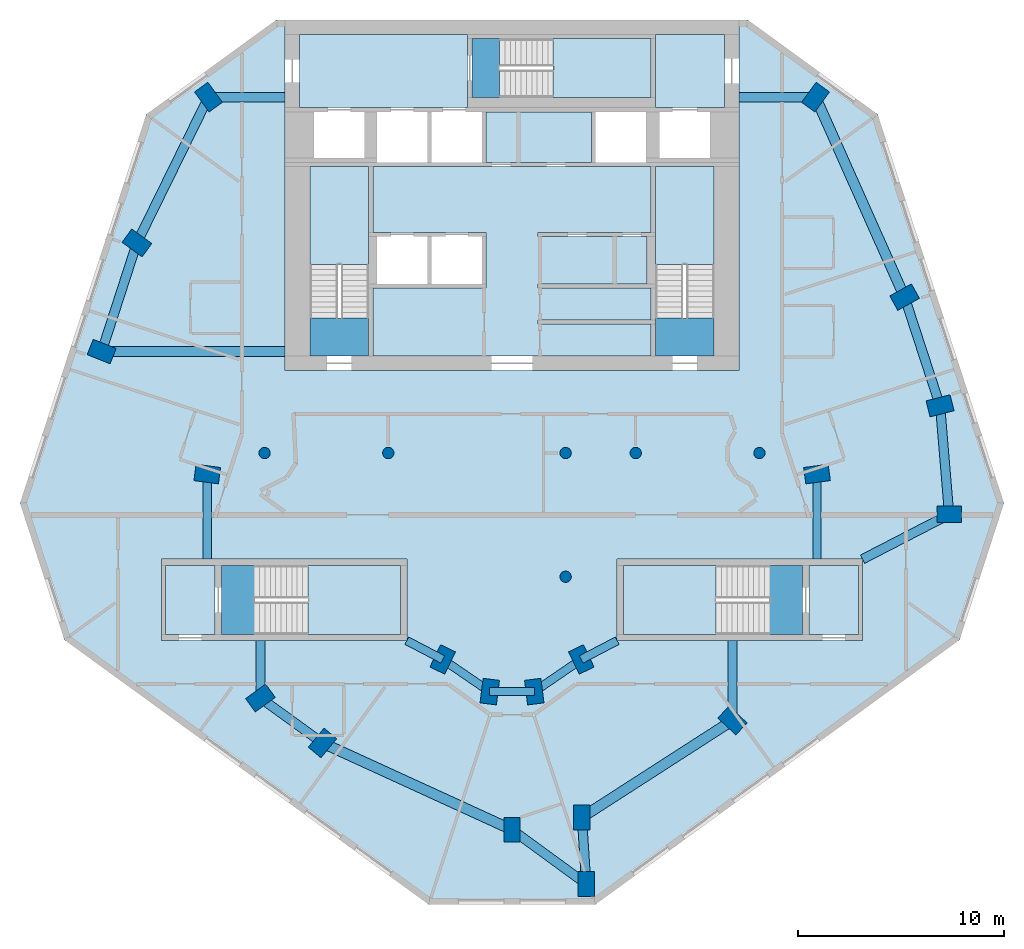
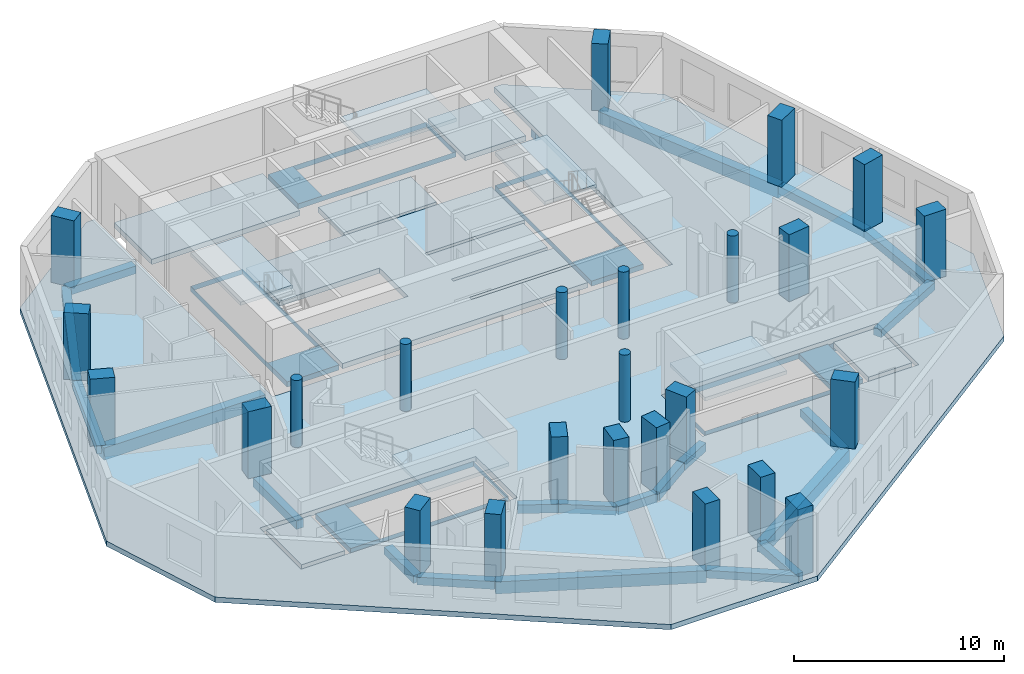
# One storey, part 1 of 9: 25 columns, 23 beams, 17 slabs, 5 elements without a shape of their own.
"""IFC4 building model written with IfcOpenShell, lengths in metres."""

from ifc_helpers import new_model, si_unit, direction, frame, origin, origin_2d, place, context, subcontext, project, spatial, polyline, rectangle, circle, outline, extrude, material, layer, layer_set, material_profile, profile_set, type_object, element, aggregate, save


model = new_model("IFC4")

# Units and contexts
model_context = context("Model", 3, precision=1e-05, world=origin(), true_north=direction((0.0, 1.0)))
body_context = subcontext(model_context, "Body", "Model", "MODEL_VIEW")
ifc_project = project(units=[si_unit("LENGTHUNIT", "METRE"), si_unit("AREAUNIT", "SQUARE_METRE"), si_unit("VOLUMEUNIT", "CUBIC_METRE"), si_unit("PLANEANGLEUNIT", "RADIAN"), si_unit("MASSUNIT", "GRAM", prefix="KILO")], contexts=[model_context])

# Site, building, storey
site_placement = place(None, origin())
site = spatial("IfcSite", under=ifc_project, at=site_placement, CompositionType="ELEMENT")
building_placement = place(site_placement, origin())
building = spatial("IfcBuilding", under=site, at=building_placement, Name="White Candle Pilgrim Tower", CompositionType="ELEMENT")
storey_placement = place(building_placement, frame((0.0, 0.0, 256.10009765625)))
storey = spatial("IfcBuildingStorey", under=building, at=storey_placement, Name="L60", CompositionType="ELEMENT", Elevation=256.10009765625)

# Columns
ifc_material_1 = material(Name="Concrete C60/75", Category="concrete")
ifc_material_profile_1 = material_profile(ifc_material_1, circle(Radius=0.27490234375, at=origin_2d()), Name="RC-COL D550")
ifc_profile_set_1 = profile_set([ifc_material_profile_1], Name="Concrete C60/75")
column_type_1 = type_object("IfcColumnType", Name="Interior column RC-COL D550 C60/75", PredefinedType="COLUMN", material=ifc_profile_set_1)
for number, where, z_axis, x_axis, name in (
    (1, (58.0, 67.0, 0.0), (0.0, 0.0, 1.0), (1.0, 0.0, 0.0), "L60 column I01"),
    (2, (64.0, 67.0, 0.0), (0.0, 0.0, 1.0), (1.0, 0.0, 0.0), "L60 column I02"),
    (3, (72.60009765625, 61.0, 0.0), (0.0, 0.0, 1.0), (1.0, 0.0, 0.0), "L60 column I03"),
    (4, (72.60009765625, 67.0, 0.0), (0.0, 0.0, 1.0), (1.0, 0.0, 0.0), "L60 column I04"),
    (5, (76.0, 67.0, 0.0), (0.0, 0.0, 1.0), (1.0, 0.0, 0.0), "L60 column I05"),
    (6, (82.0, 67.0, 0.0), (0.0, 0.0, 1.0), (1.0, 0.0, 0.0), "L60 column I06"),
):
    element("IfcColumn", number, at=place(storey_placement, frame(where, z_axis=z_axis, x_axis=x_axis)), inside=storey, type_object=column_type_1, Name=name, PredefinedType="COLUMN", context=body_context, shape_type="SweptSolid", body=[
        extrude(circle(Radius=0.27490234375, at=origin_2d()), origin(), (0.0, 0.0, 1.0), 3.89990234375),
    ])
ifc_material_profile_2 = material_profile(ifc_material_1, rectangle(XDim=0.800048828125, YDim=1.199951171875, at=origin_2d()), Name="RC-PR 800x1200")
ifc_profile_set_2 = profile_set([ifc_material_profile_2], Name="Concrete C60/75")
column_type_2 = type_object("IfcColumnType", Name="Perimeter column RC-PR 800x1200 C60/75", PredefinedType="COLUMN", material=ifc_profile_set_2)
for number, where, z_axis, x_axis, name in (
    (7, (57.800048828125, 55.1201171875, 0.0), (0.0, 0.0, 1.0), (-0.58846280644, 0.808524288711, 0.0), "L60 column T01"),
    (8, (60.81005859375, 52.93994140625, 0.0), (0.0, 0.0, 1.0), (-0.769310358735, 0.638875239733, 0.0), "L60 column T02"),
    (9, (70.0, 48.72998046875, 0.0), (0.0, 0.0, 1.0), (-1.0, 0.0, 0.0), "L60 column T03"),
    (10, (73.60009765625, 46.10009765625, 0.0), (0.0, 0.0, 1.0), (-1.0, 0.0, 0.0), "L60 column T04"),
    (11, (73.389892578125, 49.330078125, 0.0), (0.0, 0.0, 1.0), (-1.0, 0.0, 0.0), "L60 column T05"),
    (12, (80.68994140625, 54.030029296875, 0.0), (0.0, 0.0, 1.0), (-0.681998360062, -0.731353701619, 0.0), "L60 column T06"),
    (13, (91.199951171875, 64.02001953125, 0.0), (0.0, 0.0, 1.0), (0.000855211229, -0.999999634307, 0.0), "L60 column T07"),
    (14, (90.760009765625, 69.2900390625, 0.0), (0.0, 0.0, 1.0), (0.246880623275, -0.969045900797, 0.0), "L60 column T08"),
    (15, (89.0400390625, 74.56005859375, 0.0), (0.0, 0.0, 1.0), (0.484809620246, -0.874619707139, 0.0), "L60 column T09"),
    (16, (84.719970703125, 84.260009765625, 0.0), (0.0, 0.0, 1.0), (0.80902725304, -0.587771132193, 0.0), "L60 column T10"),
    (17, (55.280029296875, 84.260009765625, 0.0), (0.0, 0.0, 1.0), (0.80902725304, 0.587771132193, 0.0), "L60 column T11"),
    (18, (51.81005859375, 77.18994140625, 0.0), (0.0, 0.0, 1.0), (0.587107285614, 0.809509132239, 0.0), "L60 column T12"),
    (19, (50.10009765625, 71.919921875, 0.0), (0.0, 0.0, 1.0), (0.369860269472, 0.929087391512, 0.0), "L60 column T13"),
):
    element("IfcColumn", number, at=place(storey_placement, frame(where, z_axis=z_axis, x_axis=x_axis)), inside=storey, type_object=column_type_2, Name=name, PredefinedType="COLUMN", context=body_context, shape_type="SweptSolid", body=[
        extrude(rectangle(XDim=0.800048828125, YDim=1.199951171875, at=origin_2d()), origin(), (0.0, 0.0, 1.0), 3.89990234375),
    ])
ifc_material_profile_3 = material_profile(ifc_material_1, rectangle(XDim=0.800048828125, YDim=1.199951171875, at=origin_2d()), Name="RC-PR 800x1200")
ifc_profile_set_3 = profile_set([ifc_material_profile_3], Name="Concrete C60/75")
column_type_3 = type_object("IfcColumnType", Name="Ring column RC-PR 800x1200 C60/75", PredefinedType="COLUMN", material=ifc_profile_set_3)
for number, where, z_axis, x_axis, name in (
    (20, (66.639892578125, 56.989990234375, 0.0), (0.0, 0.0, 1.0), (-0.901689191761, 0.43238478403, 0.0), "L60 column R01"),
    (21, (68.919921875, 55.429931640625, 0.0), (0.0, 0.0, 1.0), (-0.992092811428, 0.125506388335, 0.0), "L60 column R02"),
    (22, (71.080078125, 55.429931640625, 0.0), (0.0, 0.0, 1.0), (-0.992092811428, -0.125506388335, 0.0), "L60 column R03"),
    (23, (73.360107421875, 56.989990234375, 0.0), (0.0, 0.0, 1.0), (-0.901689191761, -0.43238478403, 0.0), "L60 column R04"),
    (24, (84.7900390625, 65.97998046875, 0.0), (0.0, 0.0, 1.0), (0.132602381688, -0.991169313675, 0.0), "L60 column R05"),
    (25, (55.219970703125, 65.97998046875, 0.0), (0.0, 0.0, 1.0), (0.132602381688, 0.991169313675, 0.0), "L60 column R06"),
):
    element("IfcColumn", number, at=place(storey_placement, frame(where, z_axis=z_axis, x_axis=x_axis)), inside=storey, type_object=column_type_3, Name=name, PredefinedType="COLUMN", context=body_context, shape_type="SweptSolid", body=[
        extrude(rectangle(XDim=0.800048828125, YDim=1.199951171875, at=origin_2d()), origin(), (0.0, 0.0, 1.0), 3.89990234375),
    ])

# Beams
ifc_material_2 = material(Name="Concrete C50/60", Category="concrete")
ifc_material_profile_4 = material_profile(ifc_material_2, rectangle(XDim=0.39990234375, YDim=0.5, at=origin_2d()), Name="RC-BM 400x500")
ifc_profile_set_4 = profile_set([ifc_material_profile_4], Name="Concrete C50/60")
beam_type_1 = type_object("IfcBeamType", Name="Ring beam RC-BM 400x500 C50/60", PredefinedType="BEAM", material=ifc_profile_set_4)
beam_1_placement = place(storey_placement, frame((66.639892578125, 56.989990234375, -0.550048828125), z_axis=(0.825300758392, -0.564693419651, 0.0), x_axis=(0.564693419651, 0.825300758392, 0.0)))
element("IfcBeam", 26, at=beam_1_placement, inside=storey, type_object=beam_type_1, Name="L60 ring beam R01", PredefinedType="BEAM", context=body_context, shape_type="SweptSolid", body=[
    extrude(rectangle(XDim=0.39990234375, YDim=0.5, at=origin_2d()), origin(), (0.0, 0.0, 1.0), 2.7626953125),
])
beam_2_placement = place(storey_placement, frame((68.919921875, 55.429931640625, -0.550048828125), z_axis=(1.0, 0.0, 0.0), x_axis=(0.0, 1.0, 0.0)))
element("IfcBeam", 27, at=beam_2_placement, inside=storey, type_object=beam_type_1, Name="L60 ring beam R02", PredefinedType="BEAM", context=body_context, shape_type="SweptSolid", body=[
    extrude(rectangle(XDim=0.39990234375, YDim=0.5, at=origin_2d()), origin(), (0.0, 0.0, 1.0), 2.16015625),
])
beam_3_placement = place(storey_placement, frame((71.080078125, 55.429931640625, -0.550048828125), z_axis=(0.825300758392, 0.564693419651, 0.0), x_axis=(-0.564693419651, 0.825300758392, 0.0)))
element("IfcBeam", 28, at=beam_3_placement, inside=storey, type_object=beam_type_1, Name="L60 ring beam R03", PredefinedType="BEAM", context=body_context, shape_type="SweptSolid", body=[
    extrude(rectangle(XDim=0.39990234375, YDim=0.5, at=origin_2d()), origin(), (0.0, 0.0, 1.0), 2.7626953125),
])
beam_4_placement = place(storey_placement, frame((73.360107421875, 56.989990234375, -0.550048828125), z_axis=(0.88614770213, 0.463402902461, 0.0), x_axis=(-0.463402902461, 0.88614770213, 0.0)))
element("IfcBeam", 29, at=beam_4_placement, inside=storey, type_object=beam_type_1, Name="L60 ring beam R04", PredefinedType="BEAM", context=body_context, shape_type="SweptSolid", body=[
    extrude(rectangle(XDim=0.39990234375, YDim=0.5, at=origin_2d()), origin(), (0.0, 0.0, 1.0), 1.963623046875),
])
for number, where, z_axis, x_axis, name in (
    (30, (84.7900390625, 65.97998046875, -0.550048828125), (0.0, -1.0, 0.0), (1.0, 0.0, 0.0), "L60 ring beam R05"),
    (31, (55.219970703125, 65.97998046875, -0.550048828125), (0.0, -1.0, 0.0), (1.0, 0.0, 0.0), "L60 ring beam R06"),
):
    element("IfcBeam", number, at=place(storey_placement, frame(where, z_axis=z_axis, x_axis=x_axis)), inside=storey, type_object=beam_type_1, Name=name, PredefinedType="BEAM", context=body_context, shape_type="SweptSolid", body=[
        extrude(rectangle(XDim=0.39990234375, YDim=0.5, at=origin_2d()), origin(), (0.0, 0.0, 1.0), 4.1298828125),
    ])
beam_5_placement = place(storey_placement, frame((66.639892578125, 56.989990234375, -0.550048828125), z_axis=(-0.88614770213, 0.463402902461, 0.0), x_axis=(-0.463402902461, -0.88614770213, 0.0)))
element("IfcBeam", 32, at=beam_5_placement, inside=storey, type_object=beam_type_1, Name="L60 ring beam R07", PredefinedType="BEAM", context=body_context, shape_type="SweptSolid", body=[
    extrude(rectangle(XDim=0.39990234375, YDim=0.5, at=origin_2d()), origin(), (0.0, 0.0, 1.0), 1.963623046875),
])
ifc_material_profile_5 = material_profile(ifc_material_2, rectangle(XDim=0.449951171875, YDim=0.449951171875, at=origin_2d()), Name="RC-BM 450x450")
ifc_profile_set_5 = profile_set([ifc_material_profile_5], Name="Concrete C50/60")
beam_type_2 = type_object("IfcBeamType", Name="Spandrel beam RC-BM 450x450 C50/60", PredefinedType="BEAM", material=ifc_profile_set_5)
beam_6_placement = place(storey_placement, frame((57.800048828125, 55.1201171875, -0.525146484375), z_axis=(0.80987647897, -0.586600450742, 0.0), x_axis=(0.586600450742, 0.80987647897, 0.0)))
element("IfcBeam", 33, at=beam_6_placement, inside=storey, type_object=beam_type_2, Name="L60 spandrel beam T01", PredefinedType="BEAM", context=body_context, shape_type="SweptSolid", body=[
    extrude(rectangle(XDim=0.449951171875, YDim=0.449951171875, at=origin_2d()), origin(), (0.0, 0.0, 1.0), 3.716552734375),
])
beam_7_placement = place(storey_placement, frame((70.0, 48.72998046875, -0.525146484375), z_axis=(0.807493448789, -0.589876538068, 0.0), x_axis=(0.589876538068, 0.807493448789, 0.0)))
element("IfcBeam", 34, at=beam_7_placement, inside=storey, type_object=beam_type_2, Name="L60 spandrel beam T03", PredefinedType="BEAM", context=body_context, shape_type="SweptSolid", body=[
    extrude(rectangle(XDim=0.449951171875, YDim=0.449951171875, at=origin_2d()), origin(), (0.0, 0.0, 1.0), 4.458251953125),
])
beam_8_placement = place(storey_placement, frame((73.60009765625, 46.10009765625, -0.525146484375), z_axis=(-0.064941985221, 0.997889041204, 0.0), x_axis=(-0.997889041204, -0.064941985221, 0.0)))
element("IfcBeam", 35, at=beam_8_placement, inside=storey, type_object=beam_type_2, Name="L60 spandrel beam T04", PredefinedType="BEAM", context=body_context, shape_type="SweptSolid", body=[
    extrude(rectangle(XDim=0.449951171875, YDim=0.449951171875, at=origin_2d()), origin(), (0.0, 0.0, 1.0), 3.23681640625),
])
beam_9_placement = place(storey_placement, frame((80.68994140625, 54.030029296875, -0.525146484375), z_axis=(0.0, 1.0, 0.0), x_axis=(-1.0, 0.0, 0.0)))
element("IfcBeam", 36, at=beam_9_placement, inside=storey, type_object=beam_type_2, Name="L60 spandrel beam T06", PredefinedType="BEAM", context=body_context, shape_type="SweptSolid", body=[
    extrude(rectangle(XDim=0.449951171875, YDim=0.449951171875, at=origin_2d()), origin(), (0.0, 0.0, 1.0), 3.869873046875),
])
beam_10_placement = place(storey_placement, frame((91.199951171875, 64.02001953125, -0.525146484375), z_axis=(-0.888430469958, -0.459011219961, 0.0), x_axis=(0.459011219961, -0.888430469958, 0.0)))
element("IfcBeam", 37, at=beam_10_placement, inside=storey, type_object=beam_type_2, Name="L60 spandrel beam T07", PredefinedType="BEAM", context=body_context, shape_type="SweptSolid", body=[
    extrude(rectangle(XDim=0.449951171875, YDim=0.449951171875, at=origin_2d()), origin(), (0.0, 0.0, 1.0), 4.727294921875),
])
beam_11_placement = place(storey_placement, frame((91.199951171875, 64.02001953125, -0.525146484375), z_axis=(-0.083190662263, 0.996533649062, 0.0), x_axis=(-0.996533649062, -0.083190662263, 0.0)))
element("IfcBeam", 38, at=beam_11_placement, inside=storey, type_object=beam_type_2, Name="L60 spandrel beam T08", PredefinedType="BEAM", context=body_context, shape_type="SweptSolid", body=[
    extrude(rectangle(XDim=0.449951171875, YDim=0.449951171875, at=origin_2d()), origin(), (0.0, 0.0, 1.0), 5.288330078125),
])
beam_12_placement = place(storey_placement, frame((90.760009765625, 69.2900390625, -0.525146484375), z_axis=(-0.310262895274, 0.950650795937, 0.0), x_axis=(-0.950650795937, -0.310262895274, 0.0)))
element("IfcBeam", 39, at=beam_12_placement, inside=storey, type_object=beam_type_2, Name="L60 spandrel beam T09", PredefinedType="BEAM", context=body_context, shape_type="SweptSolid", body=[
    extrude(rectangle(XDim=0.449951171875, YDim=0.449951171875, at=origin_2d()), origin(), (0.0, 0.0, 1.0), 5.543701171875),
])
for number, where, z_axis, x_axis, name in (
    (40, (84.719970703125, 84.260009765625, -0.525146484375), (-1.0, 0.0, 0.0), (0.0, -1.0, 0.0), "L60 spandrel beam T11"),
    (41, (55.280029296875, 84.260009765625, -0.525146484375), (1.0, 0.0, 0.0), (0.0, 1.0, 0.0), "L60 spandrel beam T12"),
):
    element("IfcBeam", number, at=place(storey_placement, frame(where, z_axis=z_axis, x_axis=x_axis)), inside=storey, type_object=beam_type_2, Name=name, PredefinedType="BEAM", context=body_context, shape_type="SweptSolid", body=[
        extrude(rectangle(XDim=0.449951171875, YDim=0.449951171875, at=origin_2d()), origin(), (0.0, 0.0, 1.0), 3.719970703125),
    ])
beam_13_placement = place(storey_placement, frame((55.280029296875, 84.260009765625, -0.525146484375), z_axis=(-0.440592346375, -0.897707293229, 0.0), x_axis=(0.897707293229, -0.440592346375, 0.0)))
element("IfcBeam", 42, at=beam_13_placement, inside=storey, type_object=beam_type_2, Name="L60 spandrel beam T13", PredefinedType="BEAM", context=body_context, shape_type="SweptSolid", body=[
    extrude(rectangle(XDim=0.449951171875, YDim=0.449951171875, at=origin_2d()), origin(), (0.0, 0.0, 1.0), 7.875732421875),
])
beam_14_placement = place(storey_placement, frame((51.81005859375, 77.18994140625, -0.525146484375), z_axis=(-0.308629696049, -0.951182269976, 0.0), x_axis=(0.951182269976, -0.308629696049, 0.0)))
element("IfcBeam", 43, at=beam_14_placement, inside=storey, type_object=beam_type_2, Name="L60 spandrel beam T14", PredefinedType="BEAM", context=body_context, shape_type="SweptSolid", body=[
    extrude(rectangle(XDim=0.449951171875, YDim=0.449951171875, at=origin_2d()), origin(), (0.0, 0.0, 1.0), 5.54052734375),
])
beam_15_placement = place(storey_placement, frame((57.800048828125, 55.1201171875, -0.525146484375), z_axis=(0.0, 1.0, 0.0), x_axis=(-1.0, 0.0, 0.0)))
element("IfcBeam", 44, at=beam_15_placement, inside=storey, type_object=beam_type_2, Name="L60 spandrel beam T16", PredefinedType="BEAM", context=body_context, shape_type="SweptSolid", body=[
    extrude(rectangle(XDim=0.449951171875, YDim=0.449951171875, at=origin_2d()), origin(), (0.0, 0.0, 1.0), 2.77978515625),
])
ifc_material_profile_6 = material_profile(ifc_material_2, rectangle(XDim=0.5, YDim=0.699951171875, at=origin_2d()), Name="RC-BM 500x700")
ifc_profile_set_6 = profile_set([ifc_material_profile_6], Name="Concrete C50/60")
beam_type_3 = type_object("IfcBeamType", Name="Spandrel beam RC-BM 500x700 C50/60", PredefinedType="BEAM", material=ifc_profile_set_6)
beam_16_placement = place(storey_placement, frame((60.81005859375, 52.93994140625, -0.650146484375), z_axis=(0.909143327927, -0.416483384166, 0.0), x_axis=(0.416483384166, 0.909143327927, 0.0)))
element("IfcBeam", 45, at=beam_16_placement, inside=storey, type_object=beam_type_3, Name="L60 spandrel beam T02", PredefinedType="BEAM", context=body_context, shape_type="SweptSolid", body=[
    extrude(rectangle(XDim=0.5, YDim=0.699951171875, at=origin_2d()), origin(), (0.0, 0.0, 1.0), 10.1083984375),
])
beam_17_placement = place(storey_placement, frame((73.389892578125, 49.330078125, -0.650146484375), z_axis=(0.840808255193, 0.541333056444, 0.0), x_axis=(-0.541333056444, 0.840808255193, 0.0)))
element("IfcBeam", 46, at=beam_17_placement, inside=storey, type_object=beam_type_3, Name="L60 spandrel beam T05", PredefinedType="BEAM", context=body_context, shape_type="SweptSolid", body=[
    extrude(rectangle(XDim=0.5, YDim=0.699951171875, at=origin_2d()), origin(), (0.0, 0.0, 1.0), 8.68212890625),
])
beam_18_placement = place(storey_placement, frame((89.0400390625, 74.56005859375, -0.650146484375), z_axis=(-0.40684446171, 0.91349744607, 0.0), x_axis=(-0.91349744607, -0.40684446171, 0.0)))
element("IfcBeam", 47, at=beam_18_placement, inside=storey, type_object=beam_type_3, Name="L60 spandrel beam T10", PredefinedType="BEAM", context=body_context, shape_type="SweptSolid", body=[
    extrude(rectangle(XDim=0.5, YDim=0.699951171875, at=origin_2d()), origin(), (0.0, 0.0, 1.0), 10.618408203125),
])
beam_19_placement = place(storey_placement, frame((50.10009765625, 71.919921875, -0.650146484375), z_axis=(1.0, 0.0, 0.0), x_axis=(0.0, 1.0, 0.0)))
element("IfcBeam", 48, at=beam_19_placement, inside=storey, type_object=beam_type_3, Name="L60 spandrel beam T15", PredefinedType="BEAM", context=body_context, shape_type="SweptSolid", body=[
    extrude(rectangle(XDim=0.5, YDim=0.699951171875, at=origin_2d()), origin(), (0.0, 0.0, 1.0), 8.89990234375),
])

# Slabs
ifc_material_3 = material(Name="Concrete C40/50", Category="concrete")
ifc_layer_1 = layer(ifc_material_3, 0.300048828125)
ifc_layer_set_1 = layer_set([ifc_layer_1], Name="Core floor slab 300 mm Concrete C40/50")
slab_type_1 = type_object("IfcSlabType", Name="Core floor slab 300 mm Concrete C40/50", PredefinedType="FLOOR", material=ifc_layer_set_1)
slab_1_placement = place(storey_placement, frame((0.0, 0.0, -0.300048828125)))
element("IfcSlab", 49, at=slab_1_placement, inside=storey, type_object=slab_type_1, Name="CF-L60-01", PredefinedType="FLOOR", context=body_context, shape_type="SweptSolid", body=[
    extrude(outline(polyline([(55.60009765625, 58.199951171875), (53.199951171875, 58.199951171875), (53.199951171875, 61.550048828125), (55.60009765625, 61.550048828125), (55.60009765625, 58.199951171875)])), origin(), (0.0, 0.0, 1.0), 0.300048828125),
])
slab_2_placement = place(storey_placement, frame((0.0, 0.0, -0.300048828125)))
element("IfcSlab", 50, at=slab_2_placement, inside=storey, type_object=slab_type_1, Name="CF-L60-02", PredefinedType="FLOOR", context=body_context, shape_type="SweptSolid", body=[
    extrude(outline(polyline([(55.89990234375, 58.199951171875), (55.89990234375, 61.550048828125), (64.60009765625, 61.550048828125), (64.60009765625, 58.199951171875), (55.89990234375, 58.199951171875)]), holes=[polyline([(57.501953125, 61.548095703125), (57.501953125, 58.201904296875), (64.597900390625, 58.201904296875), (64.597900390625, 61.548095703125), (57.501953125, 61.548095703125)])]), origin(), (0.0, 0.0, 1.0), 0.300048828125),
])
slab_3_placement = place(storey_placement, frame((0.0, 0.0, -0.300048828125)))
element("IfcSlab", 51, at=slab_3_placement, inside=storey, type_object=slab_type_1, Name="CF-L60-03", PredefinedType="FLOOR", context=body_context, shape_type="SweptSolid", body=[
    extrude(outline(polyline([(75.39990234375, 58.199951171875), (75.39990234375, 61.550048828125), (84.10009765625, 61.550048828125), (84.10009765625, 58.199951171875), (75.39990234375, 58.199951171875)]), holes=[polyline([(82.498046875, 61.548095703125), (75.402099609375, 61.548095703125), (75.402099609375, 58.201904296875), (82.498046875, 58.201904296875), (82.498046875, 61.548095703125)])]), origin(), (0.0, 0.0, 1.0), 0.300048828125),
])
slab_4_placement = place(storey_placement, frame((0.0, 0.0, -0.300048828125)))
element("IfcSlab", 52, at=slab_4_placement, inside=storey, type_object=slab_type_1, Name="CF-L60-04", PredefinedType="FLOOR", context=body_context, shape_type="SweptSolid", body=[
    extrude(outline(polyline([(86.800048828125, 58.199951171875), (84.39990234375, 58.199951171875), (84.39990234375, 61.550048828125), (86.800048828125, 61.550048828125), (86.800048828125, 58.199951171875)])), origin(), (0.0, 0.0, 1.0), 0.300048828125),
])
slab_5_placement = place(storey_placement, frame((0.0, 0.0, -0.300048828125)))
element("IfcSlab", 53, at=slab_5_placement, inside=storey, type_object=slab_type_1, Name="CF-L60-05", PredefinedType="FLOOR", context=body_context, shape_type="SweptSolid", body=[
    extrude(outline(polyline([(76.949951171875, 71.699951171875), (76.949951171875, 73.25), (76.949951171875, 73.449951171875), (76.949951171875, 75.0), (76.949951171875, 75.199951171875), (76.949951171875, 77.5), (76.949951171875, 77.699951171875), (76.949951171875, 80.89990234375), (79.800048828125, 80.89990234375), (79.800048828125, 71.699951171875), (76.949951171875, 71.699951171875)]), holes=[polyline([(76.951904296875, 73.552001953125), (79.798095703125, 73.552001953125), (79.798095703125, 80.89794921875), (76.951904296875, 80.89794921875), (76.951904296875, 73.552001953125)])]), origin(), (0.0, 0.0, 1.0), 0.300048828125),
])
slab_6_placement = place(storey_placement, frame((0.0, 0.0, -0.300048828125)))
element("IfcSlab", 54, at=slab_6_placement, inside=storey, type_object=slab_type_1, Name="CF-L60-06", PredefinedType="FLOOR", context=body_context, shape_type="SweptSolid", body=[
    extrude(outline(polyline([(63.25, 71.699951171875), (63.25, 75.0), (68.75, 75.0), (68.75, 75.199951171875), (68.75, 77.5), (68.75, 77.699951171875), (63.25, 77.699951171875), (63.25, 80.89990234375), (76.75, 80.89990234375), (76.75, 77.699951171875), (71.25, 77.699951171875), (71.25, 77.5), (76.550048828125, 77.5), (76.550048828125, 75.199951171875), (71.25, 75.199951171875), (71.25, 75.0), (76.75, 75.0), (76.75, 73.449951171875), (71.25, 73.449951171875), (71.25, 73.25), (76.75, 73.25), (76.75, 71.699951171875), (63.25, 71.699951171875)])), origin(), (0.0, 0.0, 1.0), 0.300048828125),
])
slab_7_placement = place(storey_placement, frame((0.0, 0.0, -0.300048828125)))
element("IfcSlab", 55, at=slab_7_placement, inside=storey, type_object=slab_type_1, Name="CF-L60-07", PredefinedType="FLOOR", context=body_context, shape_type="SweptSolid", body=[
    extrude(outline(polyline([(60.199951171875, 71.699951171875), (60.199951171875, 80.89990234375), (63.050048828125, 80.89990234375), (63.050048828125, 77.699951171875), (63.050048828125, 77.5), (63.050048828125, 75.199951171875), (63.050048828125, 75.0), (63.050048828125, 71.699951171875), (60.199951171875, 71.699951171875)]), holes=[polyline([(60.201904296875, 73.552001953125), (63.048095703125, 73.552001953125), (63.048095703125, 80.89794921875), (60.201904296875, 80.89794921875), (60.201904296875, 73.552001953125)])]), origin(), (0.0, 0.0, 1.0), 0.300048828125),
])
slab_8_placement = place(storey_placement, frame((0.0, 0.0, -0.300048828125)))
element("IfcSlab", 56, at=slab_8_placement, inside=storey, type_object=slab_type_1, Name="CF-L60-08", PredefinedType="FLOOR", context=body_context, shape_type="SweptSolid", body=[
    extrude(outline(polyline([(59.699951171875, 87.300048828125), (67.85009765625, 87.300048828125), (67.85009765625, 87.10009765625), (67.85009765625, 84.25), (67.85009765625, 83.75), (59.699951171875, 83.75), (59.699951171875, 87.300048828125)])), origin(), (0.0, 0.0, 1.0), 0.300048828125),
])
slab_9_placement = place(storey_placement, frame((0.0, 0.0, -0.300048828125)))
element("IfcSlab", 57, at=slab_9_placement, inside=storey, type_object=slab_type_1, Name="CF-L60-09", PredefinedType="FLOOR", context=body_context, shape_type="SweptSolid", body=[
    extrude(outline(polyline([(80.300048828125, 87.300048828125), (80.300048828125, 83.75), (76.949951171875, 83.75), (76.949951171875, 84.25), (76.949951171875, 87.10009765625), (76.949951171875, 87.300048828125), (80.300048828125, 87.300048828125)])), origin(), (0.0, 0.0, 1.0), 0.300048828125),
])
slab_10_placement = place(storey_placement, frame((0.0, 0.0, -0.300048828125)))
element("IfcSlab", 58, at=slab_10_placement, inside=storey, type_object=slab_type_1, Name="CF-L60-10", PredefinedType="FLOOR", context=body_context, shape_type="SweptSolid", body=[
    extrude(outline(polyline([(68.75, 81.10009765625), (68.75, 83.550048828125), (73.85009765625, 83.550048828125), (73.85009765625, 81.10009765625), (68.75, 81.10009765625)])), origin(), (0.0, 0.0, 1.0), 0.300048828125),
])
slab_11_placement = place(storey_placement, frame((0.0, 0.0, -0.300048828125)))
element("IfcSlab", 59, at=slab_11_placement, inside=storey, type_object=slab_type_1, Name="CF-L60-11", PredefinedType="FLOOR", context=body_context, shape_type="SweptSolid", body=[
    extrude(outline(polyline([(68.050048828125, 87.10009765625), (76.75, 87.10009765625), (76.75, 84.25), (68.050048828125, 84.25), (68.050048828125, 87.10009765625)]), holes=[polyline([(69.402099609375, 84.251953125), (76.748046875, 84.251953125), (76.748046875, 87.097900390625), (69.402099609375, 87.097900390625), (69.402099609375, 84.251953125)])]), origin(), (0.0, 0.0, 1.0), 0.300048828125),
])
ifc_layer_2 = layer(ifc_material_3, 0.300048828125)
ifc_layer_set_2 = layer_set([ifc_layer_2], Name="Floor slab 300 REI 240")
slab_type_2 = type_object("IfcSlabType", Name="Floor slab 300 REI 240", PredefinedType="FLOOR", material=ifc_layer_set_2)
slab_12_placement = place(storey_placement, frame((0.0, 0.0, -0.300048828125)))
element("IfcSlab", 60, at=slab_12_placement, inside=storey, type_object=slab_type_2, Name="L60 floor slab", PredefinedType="FLOOR", context=body_context, shape_type="SweptSolid", body=[
    extrude(outline(polyline([(65.959228515625, 45.106689453125), (74.040771484375, 45.106689453125), (91.706298828125, 57.94140625), (93.85986328125, 64.569091796875), (87.73291015625, 83.42578125), (81.43701171875, 88.0), (81.0, 88.0), (81.0, 71.0), (59.0, 71.0), (59.0, 88.0), (58.56298828125, 88.0), (52.26708984375, 83.42578125), (46.14013671875, 64.569091796875), (48.293701171875, 57.94140625), (65.959228515625, 45.106689453125)]), holes=[polyline([(53.0, 57.89990234375), (53.0, 61.85009765625), (64.89990234375, 61.85009765625), (64.89990234375, 57.89990234375), (53.0, 57.89990234375)]), polyline([(75.10009765625, 57.89990234375), (75.10009765625, 61.85009765625), (87.0, 61.85009765625), (87.0, 57.89990234375), (75.10009765625, 57.89990234375)])]), origin(), (0.0, 0.0, 1.0), 0.300048828125),
])

# Stair, slab
stair_type_1 = type_object("IfcStairType", Name="Exit stair 1 flight width 1350 mm", PredefinedType="HALF_TURN_STAIR", material=ifc_material_3)
stair_1_placement = place(storey_placement, origin())
stair_1 = element("IfcStair", 61, at=stair_1_placement, inside=storey, type_object=stair_type_1, Name="L60 stair 1", PredefinedType="NOTDEFINED")
ifc_layer_3 = layer(ifc_material_3, 0.199951171875)
ifc_layer_set_3 = layer_set([ifc_layer_3], Name="Stair landing Concrete C40/50")
slab_type_3 = type_object("IfcSlabType", Name="Stair landing Concrete C40/50", PredefinedType="LANDING", material=ifc_layer_set_3)
slab_13_placement = place(storey_placement, frame((0.0, 0.0, 1.75)))
slab_13 = element("IfcSlab", 62, at=slab_13_placement, type_object=slab_type_3, Name="ST1 landing 1", PredefinedType="LANDING", context=body_context, shape_type="SweptSolid", body=[
    extrude(outline(polyline([(63.052001953125, 76.14794921875), (60.197998046875, 76.14794921875), (60.197998046875, 80.902099609375), (63.052001953125, 80.902099609375), (63.052001953125, 76.14794921875)])), origin(), (0.0, 0.0, 1.0), 0.199951171875),
])
aggregate(stair_1, [slab_13])

stair_type_2 = type_object("IfcStairType", Name="Exit stair 2 flight width 1350 mm", PredefinedType="HALF_TURN_STAIR", material=ifc_material_3)
stair_2_placement = place(storey_placement, origin())
stair_2 = element("IfcStair", 63, at=stair_2_placement, inside=storey, type_object=stair_type_2, Name="L60 stair 2", PredefinedType="NOTDEFINED")
slab_14_placement = place(storey_placement, frame((0.0, 0.0, 1.75)))
slab_14 = element("IfcSlab", 64, at=slab_14_placement, type_object=slab_type_3, Name="ST2 landing 1", PredefinedType="LANDING", context=body_context, shape_type="SweptSolid", body=[
    extrude(outline(polyline([(79.802001953125, 76.14794921875), (76.947998046875, 76.14794921875), (76.947998046875, 80.902099609375), (79.802001953125, 80.902099609375), (79.802001953125, 76.14794921875)])), origin(), (0.0, 0.0, 1.0), 0.199951171875),
])
aggregate(stair_2, [slab_14])

stair_type_3 = type_object("IfcStairType", Name="Exit stair 3 flight width 1350 mm", PredefinedType="HALF_TURN_STAIR", material=ifc_material_3)
stair_3_placement = place(storey_placement, origin())
stair_3 = element("IfcStair", 65, at=stair_3_placement, inside=storey, type_object=stair_type_3, Name="L60 stair 3", PredefinedType="NOTDEFINED")
slab_15_placement = place(storey_placement, frame((0.0, 0.0, 1.75)))
slab_15 = element("IfcSlab", 66, at=slab_15_placement, type_object=slab_type_3, Name="ST3 landing 1", PredefinedType="LANDING", context=body_context, shape_type="SweptSolid", body=[
    extrude(outline(polyline([(71.998046875, 84.248046875), (71.998046875, 87.10205078125), (76.751953125, 87.10205078125), (76.751953125, 84.248046875), (71.998046875, 84.248046875)])), origin(), (0.0, 0.0, 1.0), 0.199951171875),
])
aggregate(stair_3, [slab_15])

stair_type_4 = type_object("IfcStairType", Name="Exit stair 4 flight width 1600 mm", PredefinedType="HALF_TURN_STAIR", material=ifc_material_3)
stair_4_placement = place(storey_placement, origin())
stair_4 = element("IfcStair", 67, at=stair_4_placement, inside=storey, type_object=stair_type_4, Name="L60 stair 4", PredefinedType="NOTDEFINED")
slab_16_placement = place(storey_placement, frame((0.0, 0.0, 1.75)))
slab_16 = element("IfcSlab", 68, at=slab_16_placement, type_object=slab_type_3, Name="ST4 landing 1", PredefinedType="LANDING", context=body_context, shape_type="SweptSolid", body=[
    extrude(outline(polyline([(79.902099609375, 61.552001953125), (79.902099609375, 58.197998046875), (75.39794921875, 58.197998046875), (75.39794921875, 61.552001953125), (79.902099609375, 61.552001953125)])), origin(), (0.0, 0.0, 1.0), 0.199951171875),
])
aggregate(stair_4, [slab_16])

stair_type_5 = type_object("IfcStairType", Name="Exit stair 5 flight width 1600 mm", PredefinedType="HALF_TURN_STAIR", material=ifc_material_3)
stair_5_placement = place(storey_placement, origin())
stair_5 = element("IfcStair", 69, at=stair_5_placement, inside=storey, type_object=stair_type_5, Name="L60 stair 5", PredefinedType="NOTDEFINED")
slab_17_placement = place(storey_placement, frame((0.0, 0.0, 1.75)))
slab_17 = element("IfcSlab", 70, at=slab_17_placement, type_object=slab_type_3, Name="ST5 landing 1", PredefinedType="LANDING", context=body_context, shape_type="SweptSolid", body=[
    extrude(outline(polyline([(60.097900390625, 58.197998046875), (60.097900390625, 61.552001953125), (64.60205078125, 61.552001953125), (64.60205078125, 58.197998046875), (60.097900390625, 58.197998046875)])), origin(), (0.0, 0.0, 1.0), 0.199951171875),
])
aggregate(stair_5, [slab_17])

save(model, "model.ifc")
